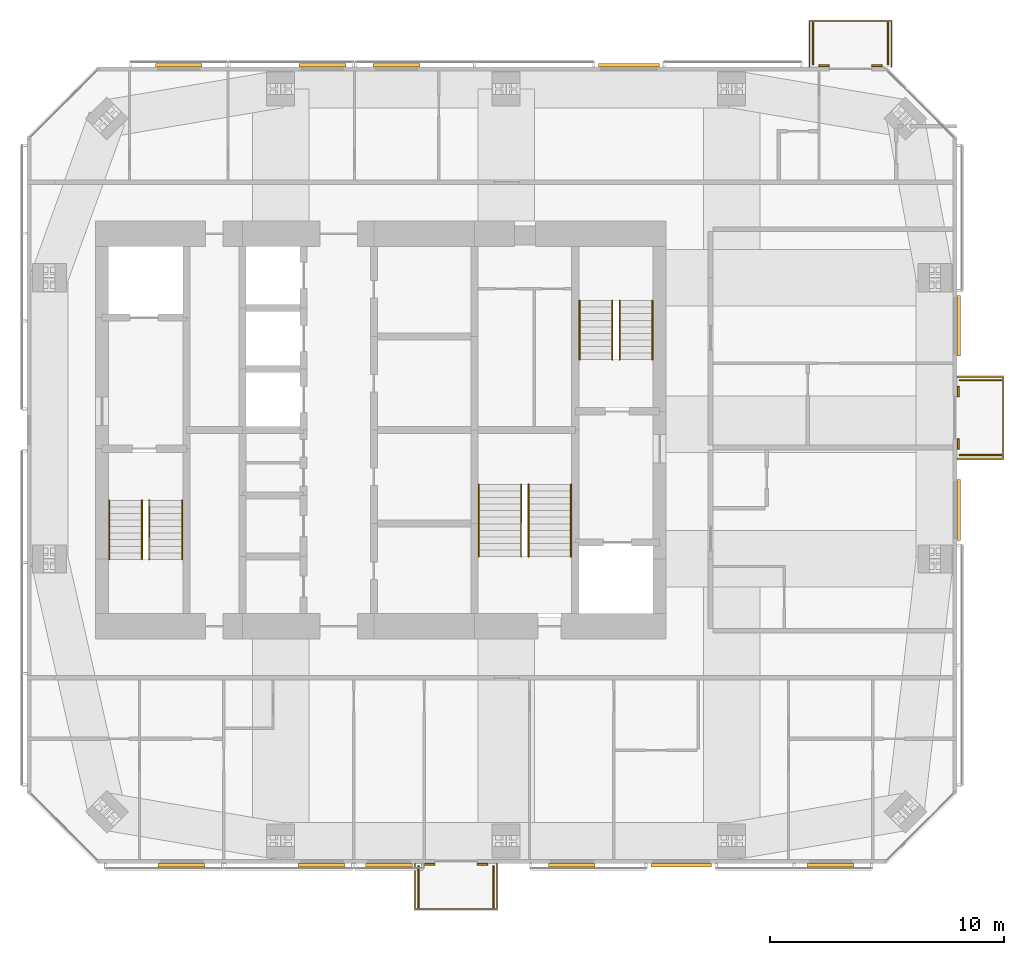
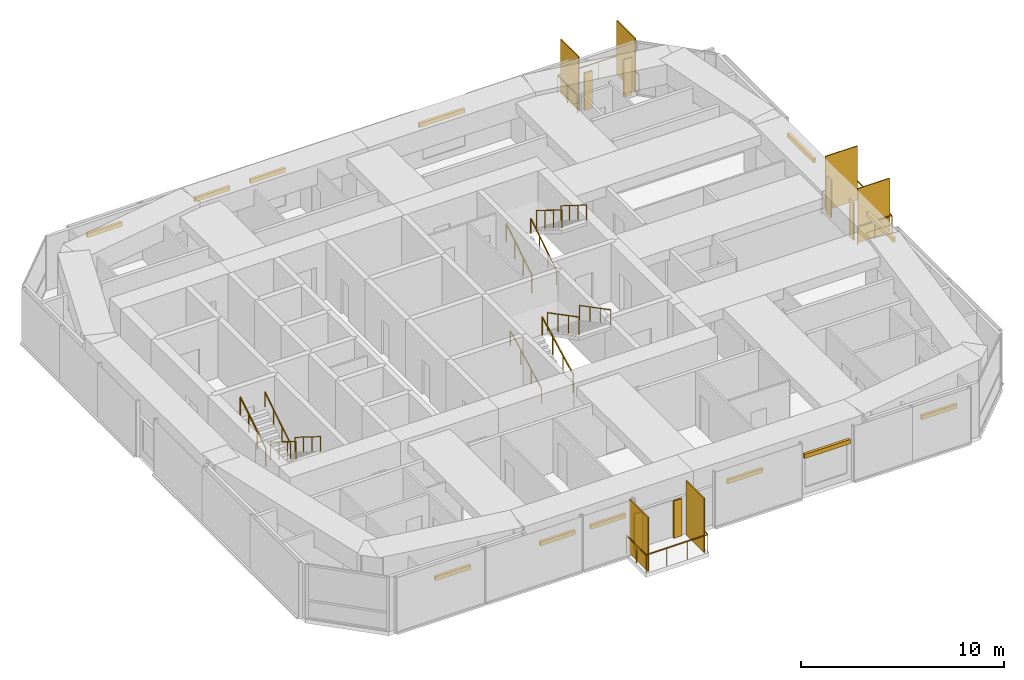
# One storey, part 18 of 18: 24 shading devices, 15 railings.
"""IFC4 building model written with IfcOpenShell, lengths in metres."""

from ifc_helpers import new_model, si_unit, direction, frame, origin, origin_2d, place, context, subcontext, project, spatial, rectangle, circle, extrude, material, layer, layer_set, constituent, constituent_set, type_object, element, save


model = new_model("IFC4")

# Units and contexts
model_context = context("Model", 3, precision=1e-05, world=origin(), true_north=direction((0.0, 1.0)))
body_context = subcontext(model_context, "Body", "Model", "MODEL_VIEW")
ifc_project = project(units=[si_unit("LENGTHUNIT", "METRE"), si_unit("AREAUNIT", "SQUARE_METRE"), si_unit("VOLUMEUNIT", "CUBIC_METRE"), si_unit("PLANEANGLEUNIT", "RADIAN"), si_unit("MASSUNIT", "GRAM", prefix="KILO")], contexts=[model_context])

# Site, building, storey
site_placement = place(None, origin())
site = spatial("IfcSite", under=ifc_project, at=site_placement, CompositionType="ELEMENT")
building_placement = place(site_placement, origin())
building = spatial("IfcBuilding", under=site, at=building_placement, Name="Jalousie Tower", CompositionType="ELEMENT")
storey_placement = place(building_placement, frame((0.0, 0.0, 252.949951171875)))
storey = spatial("IfcBuildingStorey", under=building, at=storey_placement, Name="L69", CompositionType="ELEMENT", Elevation=252.949951171875)

# Shading devices
ifc_material_1 = material(Name="Aluminium impact-rated louvred storm shutter", Category="aluminium")
shading_device_type_1 = type_object("IfcShadingDeviceType", Name="BI-FOLD STORM SHUTTER 900x2250", PredefinedType="SHUTTER", material=ifc_material_1)
for number, where, z_axis, x_axis, name in (
    (1, (33.985107421875, -0.0400390625, 0.0), (0.0, 0.0, 1.0), (1.0, 0.0, 0.0), "Balcony storm shutter L69"),
    (2, (36.235107421875, -0.0400390625, 0.0), (0.0, 0.0, 1.0), (1.0, 0.0, 0.0), "Balcony storm shutter L69"),
    (3, (56.5400390625, 17.89990234375, 0.0), (0.0, 0.0, 1.0), (0.0, 1.0, 0.0), "Balcony storm shutter L69"),
    (4, (56.5400390625, 20.14990234375, 0.0), (0.0, 0.0, 1.0), (0.0, 1.0, 0.0), "Balcony storm shutter L69"),
    (5, (53.07373046875, 34.0400390625, 0.0), (0.0, 0.0, 1.0), (-1.0, 0.0, 0.0), "Balcony storm shutter L69"),
    (6, (50.82373046875, 34.0400390625, 0.0), (0.0, 0.0, 1.0), (-1.0, 0.0, 0.0), "Balcony storm shutter L69"),
):
    element("IfcShadingDevice", number, at=place(storey_placement, frame(where, z_axis=z_axis, x_axis=x_axis)), inside=storey, type_object=shading_device_type_1, Name=name, PredefinedType="SHUTTER", context=body_context, shape_type="SweptSolid", body=[
        extrude(rectangle(XDim=0.449951171875, YDim=0.080078125, at=origin_2d()), origin(), (0.0, 0.0, 1.0), 2.25),
    ])

# Railings
ifc_material_2 = material(Name="Powder-coated aluminium fretwork", Category="aluminium")
railing_type_1 = type_object("IfcRailingType", Name="FRETWORK BALUSTRADE 1100", PredefinedType="BALUSTRADE", material=ifc_material_2)
railing_1_placement = place(storey_placement, frame((33.360107421875, 0.0, 0.0)))
element("IfcRailing", 7, at=railing_1_placement, inside=storey, type_object=railing_type_1, Name="Balcony fretwork balustrade L69", PredefinedType="BALUSTRADE", context=body_context, shape_type="SweptSolid", body=[
    extrude(rectangle(XDim=0.048095703125, YDim=0.048095703125, at=origin_2d()), frame((0.0, 0.0, 1.076171875), z_axis=(0.0, -1.0, 0.0), x_axis=(1.0, 0.0, 0.0)), (0.0, 0.0, 1.0), 1.949951171875),
    extrude(rectangle(XDim=0.048095703125, YDim=0.048095703125, at=origin_2d()), frame((0.0, -1.949951171875, 1.076171875), z_axis=(1.0, 0.0, 0.0), x_axis=(0.0, 1.0, 0.0)), (0.0, 0.0, 1.0), 3.5),
    extrude(rectangle(XDim=0.048095703125, YDim=0.048095703125, at=origin_2d()), frame((3.5, -1.949951171875, 1.076171875), z_axis=(0.0, 1.0, 0.0), x_axis=(-1.0, 0.0, 0.0)), (0.0, 0.0, 1.0), 1.949951171875),
    extrude(circle(Radius=0.02099609375, at=origin_2d()), origin(), (0.0, 0.0, 1.0), 1.052001953125),
    extrude(circle(Radius=0.02099609375, at=origin_2d()), frame((0.0, -0.97509765625, 0.0)), (0.0, 0.0, 1.0), 1.052001953125),
    extrude(circle(Radius=0.02099609375, at=origin_2d()), frame((0.0, -1.949951171875, 0.0)), (0.0, 0.0, 1.0), 1.052001953125),
    extrude(circle(Radius=0.02099609375, at=origin_2d()), frame((1.166748046875, -1.949951171875, 0.0)), (0.0, 0.0, 1.0), 1.052001953125),
    extrude(circle(Radius=0.02099609375, at=origin_2d()), frame((2.333251953125, -1.949951171875, 0.0)), (0.0, 0.0, 1.0), 1.052001953125),
    extrude(circle(Radius=0.02099609375, at=origin_2d()), frame((3.5, -1.949951171875, 0.0)), (0.0, 0.0, 1.0), 1.052001953125),
    extrude(circle(Radius=0.02099609375, at=origin_2d()), frame((3.5, -0.97509765625, 0.0)), (0.0, 0.0, 1.0), 1.052001953125),
    extrude(circle(Radius=0.02099609375, at=origin_2d()), frame((3.5, 0.0, 0.0)), (0.0, 0.0, 1.0), 1.052001953125),
])
railing_2_placement = place(storey_placement, frame((56.5, 17.27490234375, 0.0)))
element("IfcRailing", 8, at=railing_2_placement, inside=storey, type_object=railing_type_1, Name="Balcony fretwork balustrade L69", PredefinedType="BALUSTRADE", context=body_context, shape_type="SweptSolid", body=[
    extrude(rectangle(XDim=0.048095703125, YDim=0.048095703125, at=origin_2d()), frame((0.0, 0.0, 1.076171875), z_axis=(1.0, 0.0, 0.0), x_axis=(0.0, 1.0, 0.0)), (0.0, 0.0, 1.0), 1.949951171875),
    extrude(rectangle(XDim=0.048095703125, YDim=0.048095703125, at=origin_2d()), frame((1.949951171875, 0.0, 1.076171875), z_axis=(0.0, 1.0, 0.0), x_axis=(-1.0, 0.0, 0.0)), (0.0, 0.0, 1.0), 3.5),
    extrude(rectangle(XDim=0.048095703125, YDim=0.048095703125, at=origin_2d()), frame((1.949951171875, 3.5, 1.076171875), z_axis=(-1.0, 0.0, 0.0), x_axis=(0.0, -1.0, 0.0)), (0.0, 0.0, 1.0), 1.949951171875),
    extrude(circle(Radius=0.02099609375, at=origin_2d()), origin(), (0.0, 0.0, 1.0), 1.052001953125),
    extrude(circle(Radius=0.02099609375, at=origin_2d()), frame((0.97509765625, 0.0, 0.0)), (0.0, 0.0, 1.0), 1.052001953125),
    extrude(circle(Radius=0.02099609375, at=origin_2d()), frame((1.949951171875, 0.0, 0.0)), (0.0, 0.0, 1.0), 1.052001953125),
    extrude(circle(Radius=0.02099609375, at=origin_2d()), frame((1.949951171875, 1.166748046875, 0.0)), (0.0, 0.0, 1.0), 1.052001953125),
    extrude(circle(Radius=0.02099609375, at=origin_2d()), frame((1.949951171875, 2.333251953125, 0.0)), (0.0, 0.0, 1.0), 1.052001953125),
    extrude(circle(Radius=0.02099609375, at=origin_2d()), frame((1.949951171875, 3.5, 0.0)), (0.0, 0.0, 1.0), 1.052001953125),
    extrude(circle(Radius=0.02099609375, at=origin_2d()), frame((0.97509765625, 3.5, 0.0)), (0.0, 0.0, 1.0), 1.052001953125),
    extrude(circle(Radius=0.02099609375, at=origin_2d()), frame((0.0, 3.5, 0.0)), (0.0, 0.0, 1.0), 1.052001953125),
])
railing_3_placement = place(storey_placement, frame((53.69873046875, 34.0, 0.0)))
element("IfcRailing", 9, at=railing_3_placement, inside=storey, type_object=railing_type_1, Name="Balcony fretwork balustrade L69", PredefinedType="BALUSTRADE", context=body_context, shape_type="SweptSolid", body=[
    extrude(rectangle(XDim=0.048095703125, YDim=0.048095703125, at=origin_2d()), frame((0.0, 0.0, 1.076171875), z_axis=(0.0, 1.0, 0.0), x_axis=(-1.0, 0.0, 0.0)), (0.0, 0.0, 1.0), 1.949951171875),
    extrude(rectangle(XDim=0.048095703125, YDim=0.048095703125, at=origin_2d()), frame((0.0, 1.949951171875, 1.076171875), z_axis=(-1.0, 0.0, 0.0), x_axis=(0.0, -1.0, 0.0)), (0.0, 0.0, 1.0), 3.5),
    extrude(rectangle(XDim=0.048095703125, YDim=0.048095703125, at=origin_2d()), frame((-3.5, 1.949951171875, 1.076171875), z_axis=(0.0, -1.0, 0.0), x_axis=(1.0, 0.0, 0.0)), (0.0, 0.0, 1.0), 1.949951171875),
    extrude(circle(Radius=0.02099609375, at=origin_2d()), origin(), (0.0, 0.0, 1.0), 1.052001953125),
    extrude(circle(Radius=0.02099609375, at=origin_2d()), frame((0.0, 0.97509765625, 0.0)), (0.0, 0.0, 1.0), 1.052001953125),
    extrude(circle(Radius=0.02099609375, at=origin_2d()), frame((0.0, 1.949951171875, 0.0)), (0.0, 0.0, 1.0), 1.052001953125),
    extrude(circle(Radius=0.02099609375, at=origin_2d()), frame((-1.166748046875, 1.949951171875, 0.0)), (0.0, 0.0, 1.0), 1.052001953125),
    extrude(circle(Radius=0.02099609375, at=origin_2d()), frame((-2.333251953125, 1.949951171875, 0.0)), (0.0, 0.0, 1.0), 1.052001953125),
    extrude(circle(Radius=0.02099609375, at=origin_2d()), frame((-3.5, 1.949951171875, 0.0)), (0.0, 0.0, 1.0), 1.052001953125),
    extrude(circle(Radius=0.02099609375, at=origin_2d()), frame((-3.5, 0.97509765625, 0.0)), (0.0, 0.0, 1.0), 1.052001953125),
    extrude(circle(Radius=0.02099609375, at=origin_2d()), frame((-3.5, 0.0, 0.0)), (0.0, 0.0, 1.0), 1.052001953125),
])

# Shading devices
ifc_material_3 = material(Name="Powder-coated aluminium louvres", Category="aluminium")
ifc_layer = layer(ifc_material_3, 0.06005859375)
ifc_layer_set = layer_set([ifc_layer], Name="Powder-coated aluminium louvres")
shading_device_type_2 = type_object("IfcShadingDeviceType", Name="JALOUSIE LOUVRE SCREEN", PredefinedType="JALOUSIE", material=ifc_layer_set)
for number, where, z_axis, x_axis, name in (
    (10, (33.510009765625, -1.0, 0.0), (0.0, 0.0, 1.0), (1.0, 0.0, 0.0), "Jalousie louvre screen L69"),
    (11, (36.7099609375, -1.0, 0.0), (0.0, 0.0, 1.0), (1.0, 0.0, 0.0), "Jalousie louvre screen L69"),
    (12, (57.5, 17.425048828125, 0.0), (0.0, 0.0, 1.0), (0.0, 1.0, 0.0), "Jalousie louvre screen L69"),
    (13, (57.5, 20.625, 0.0), (0.0, 0.0, 1.0), (0.0, 1.0, 0.0), "Jalousie louvre screen L69"),
    (14, (53.548583984375, 35.0, 0.0), (0.0, 0.0, 1.0), (-1.0, 0.0, 0.0), "Jalousie louvre screen L69"),
    (15, (50.3486328125, 35.0, 0.0), (0.0, 0.0, 1.0), (-1.0, 0.0, 0.0), "Jalousie louvre screen L69"),
):
    element("IfcShadingDevice", number, at=place(storey_placement, frame(where, z_axis=z_axis, x_axis=x_axis)), inside=storey, type_object=shading_device_type_2, Name=name, PredefinedType="JALOUSIE", context=body_context, shape_type="SweptSolid", body=[
        extrude(rectangle(XDim=0.06005859375, YDim=1.800048828125, at=origin_2d()), origin(), (0.0, 0.0, 1.0), 3.260009765625),
    ])

# Railings
ifc_material_4 = material(Name="Steel ASTM A500 Grade C", Category="steel")
ifc_constituent_1 = constituent(ifc_material_4, Name="Body")
ifc_material_5 = material(Name="Hot-dip galvanised zinc coating")
ifc_constituent_2 = constituent(ifc_material_5, Name="Finish")
ifc_constituent_set_1 = constituent_set(constituents=[ifc_constituent_1, ifc_constituent_2])
railing_type_2 = type_object("IfcRailingType", Name="STAIR GUARD 1100", PredefinedType="GUARDRAIL", material=ifc_constituent_set_1)
railing_4_placement = place(storey_placement, frame((22.017578125, 15.49755859375, 0.175048828125)))
element("IfcRailing", 16, at=railing_4_placement, inside=storey, type_object=railing_type_2, Name="Exit stair A guard L69 flight 1", PredefinedType="GUARDRAIL", context=body_context, shape_type="SweptSolid", body=[
    extrude(rectangle(XDim=0.048095703125, YDim=0.048095703125, at=origin_2d()), frame((0.0, 0.0, 1.076171875), z_axis=(0.0, -0.848007534815, 0.529984170421), x_axis=(1.0, 0.0, 0.0)), (0.0, 0.0, 1.0), 2.9716796875),
    extrude(circle(Radius=0.02099609375, at=origin_2d()), origin(), (0.0, 0.0, 1.0), 1.052001953125),
    extrude(circle(Radius=0.02099609375, at=origin_2d()), frame((0.0, -0.840087890625, 0.52490234375)), (0.0, 0.0, 1.0), 1.052001953125),
    extrude(circle(Radius=0.02099609375, at=origin_2d()), frame((0.0, -1.679931640625, 1.050048828125)), (0.0, 0.0, 1.0), 1.052001953125),
    extrude(circle(Radius=0.02099609375, at=origin_2d()), frame((0.0, -2.52001953125, 1.574951171875)), (0.0, 0.0, 1.0), 1.052001953125),
])
for number, where, name in (
    (17, (20.304931640625, 12.9775390625, 1.925048828125), "Exit stair A guard L69 flight 2"),
    (18, (40.3798828125, 21.50244140625, 0.175048828125), "Exit stair B guard L69 flight 1"),
):
    element("IfcRailing", number, at=place(storey_placement, frame(where)), inside=storey, type_object=railing_type_2, Name=name, PredefinedType="GUARDRAIL", context=body_context, shape_type="SweptSolid", body=[
        extrude(rectangle(XDim=0.048095703125, YDim=0.048095703125, at=origin_2d()), frame((0.0, 0.0, 1.076171875), z_axis=(0.0, 0.848007534815, 0.529984170421), x_axis=(-1.0, 0.0, 0.0)), (0.0, 0.0, 1.0), 2.9716796875),
        extrude(circle(Radius=0.02099609375, at=origin_2d()), origin(), (0.0, 0.0, 1.0), 1.052001953125),
        extrude(circle(Radius=0.02099609375, at=origin_2d()), frame((0.0, 0.840087890625, 0.52490234375)), (0.0, 0.0, 1.0), 1.052001953125),
        extrude(circle(Radius=0.02099609375, at=origin_2d()), frame((0.0, 1.679931640625, 1.050048828125)), (0.0, 0.0, 1.0), 1.052001953125),
        extrude(circle(Radius=0.02099609375, at=origin_2d()), frame((0.0, 2.52001953125, 1.574951171875)), (0.0, 0.0, 1.0), 1.052001953125),
    ])
railing_5_placement = place(storey_placement, frame((42.092529296875, 24.0224609375, 1.925048828125)))
element("IfcRailing", 19, at=railing_5_placement, inside=storey, type_object=railing_type_2, Name="Exit stair B guard L69 flight 2", PredefinedType="GUARDRAIL", context=body_context, shape_type="SweptSolid", body=[
    extrude(rectangle(XDim=0.048095703125, YDim=0.048095703125, at=origin_2d()), frame((0.0, 0.0, 1.076171875), z_axis=(0.0, -0.848007534815, 0.529984170421), x_axis=(1.0, 0.0, 0.0)), (0.0, 0.0, 1.0), 2.9716796875),
    extrude(circle(Radius=0.02099609375, at=origin_2d()), origin(), (0.0, 0.0, 1.0), 1.052001953125),
    extrude(circle(Radius=0.02099609375, at=origin_2d()), frame((0.0, -0.840087890625, 0.52490234375)), (0.0, 0.0, 1.0), 1.052001953125),
    extrude(circle(Radius=0.02099609375, at=origin_2d()), frame((0.0, -1.679931640625, 1.050048828125)), (0.0, 0.0, 1.0), 1.052001953125),
    extrude(circle(Radius=0.02099609375, at=origin_2d()), frame((0.0, -2.52001953125, 1.574951171875)), (0.0, 0.0, 1.0), 1.052001953125),
])
railing_6_placement = place(storey_placement, frame((37.89501953125, 13.097412109375, 0.145751953125)))
element("IfcRailing", 20, at=railing_6_placement, inside=storey, type_object=railing_type_2, Name="Exit stair C guard L69 flight 1", PredefinedType="GUARDRAIL", context=body_context, shape_type="SweptSolid", body=[
    extrude(rectangle(XDim=0.048095703125, YDim=0.048095703125, at=origin_2d()), frame((0.0, 0.0, 1.076171875), z_axis=(0.0, 0.886909283822, 0.461943635383), x_axis=(-1.0, 0.0, 0.0)), (0.0, 0.0, 1.0), 3.472900390625),
    extrude(circle(Radius=0.02099609375, at=origin_2d()), origin(), (0.0, 0.0, 1.0), 1.052001953125),
    extrude(circle(Radius=0.02099609375, at=origin_2d()), frame((0.0, 1.026611328125, 0.53466796875)), (0.0, 0.0, 1.0), 1.052001953125),
    extrude(circle(Radius=0.02099609375, at=origin_2d()), frame((0.0, 2.053466796875, 1.069580078125)), (0.0, 0.0, 1.0), 1.052001953125),
    extrude(circle(Radius=0.02099609375, at=origin_2d()), frame((0.0, 3.080078125, 1.604248046875)), (0.0, 0.0, 1.0), 1.052001953125),
])
railing_7_placement = place(storey_placement, frame((38.205078125, 16.177490234375, 1.895751953125)))
element("IfcRailing", 21, at=railing_7_placement, inside=storey, type_object=railing_type_2, Name="Exit stair C guard L69 flight 2", PredefinedType="GUARDRAIL", context=body_context, shape_type="SweptSolid", body=[
    extrude(rectangle(XDim=0.048095703125, YDim=0.048095703125, at=origin_2d()), frame((0.0, 0.0, 1.076171875), z_axis=(0.0, -0.886909283822, 0.461943635383), x_axis=(1.0, 0.0, 0.0)), (0.0, 0.0, 1.0), 3.472900390625),
    extrude(circle(Radius=0.02099609375, at=origin_2d()), origin(), (0.0, 0.0, 1.0), 1.052001953125),
    extrude(circle(Radius=0.02099609375, at=origin_2d()), frame((0.0, -1.026611328125, 0.53466796875)), (0.0, 0.0, 1.0), 1.052001953125),
    extrude(circle(Radius=0.02099609375, at=origin_2d()), frame((0.0, -2.053466796875, 1.069580078125)), (0.0, 0.0, 1.0), 1.052001953125),
    extrude(circle(Radius=0.02099609375, at=origin_2d()), frame((0.0, -3.080078125, 1.604248046875)), (0.0, 0.0, 1.0), 1.052001953125),
])
ifc_material_6 = material(Name="Steel ASTM A500 Grade C", Category="steel")
ifc_constituent_3 = constituent(ifc_material_6, Name="Body")
ifc_material_7 = material(Name="Hot-dip galvanised zinc coating")
ifc_constituent_4 = constituent(ifc_material_7, Name="Finish")
ifc_constituent_set_2 = constituent_set(constituents=[ifc_constituent_3, ifc_constituent_4])
railing_type_3 = type_object("IfcRailingType", Name="STAIR HANDRAIL 900", PredefinedType="HANDRAIL", material=ifc_constituent_set_2)
railing_8_placement = place(storey_placement, frame((23.420166015625, 15.49755859375, 0.175048828125)))
element("IfcRailing", 22, at=railing_8_placement, inside=storey, type_object=railing_type_3, Name="Exit stair A handrail L69 flight 1", PredefinedType="HANDRAIL", context=body_context, shape_type="SweptSolid", body=[
    extrude(circle(Radius=0.02392578125, at=origin_2d()), frame((0.0, 0.0, 0.8759765625), z_axis=(0.0, -0.848007534815, 0.529984170421), x_axis=(1.0, 0.0, 0.0)), (0.0, 0.0, 1.0), 2.9716796875),
    extrude(circle(Radius=0.02099609375, at=origin_2d()), origin(), (0.0, 0.0, 1.0), 0.851806640625),
    extrude(circle(Radius=0.02099609375, at=origin_2d()), frame((0.0, -0.840087890625, 0.52490234375)), (0.0, 0.0, 1.0), 0.851806640625),
    extrude(circle(Radius=0.02099609375, at=origin_2d()), frame((0.0, -1.679931640625, 1.050048828125)), (0.0, 0.0, 1.0), 0.851806640625),
    extrude(circle(Radius=0.02099609375, at=origin_2d()), frame((0.0, -2.52001953125, 1.574951171875)), (0.0, 0.0, 1.0), 0.851806640625),
])
for number, where, name in (
    (23, (21.70751953125, 12.9775390625, 1.925048828125), "Exit stair A handrail L69 flight 2"),
    (24, (41.782470703125, 21.50244140625, 0.175048828125), "Exit stair B handrail L69 flight 1"),
):
    element("IfcRailing", number, at=place(storey_placement, frame(where)), inside=storey, type_object=railing_type_3, Name=name, PredefinedType="HANDRAIL", context=body_context, shape_type="SweptSolid", body=[
        extrude(circle(Radius=0.02392578125, at=origin_2d()), frame((0.0, 0.0, 0.8759765625), z_axis=(0.0, 0.848007534815, 0.529984170421), x_axis=(-1.0, 0.0, 0.0)), (0.0, 0.0, 1.0), 2.9716796875),
        extrude(circle(Radius=0.02099609375, at=origin_2d()), origin(), (0.0, 0.0, 1.0), 0.851806640625),
        extrude(circle(Radius=0.02099609375, at=origin_2d()), frame((0.0, 0.840087890625, 0.52490234375)), (0.0, 0.0, 1.0), 0.851806640625),
        extrude(circle(Radius=0.02099609375, at=origin_2d()), frame((0.0, 1.679931640625, 1.050048828125)), (0.0, 0.0, 1.0), 0.851806640625),
        extrude(circle(Radius=0.02099609375, at=origin_2d()), frame((0.0, 2.52001953125, 1.574951171875)), (0.0, 0.0, 1.0), 0.851806640625),
    ])
railing_9_placement = place(storey_placement, frame((43.4951171875, 24.0224609375, 1.925048828125)))
element("IfcRailing", 25, at=railing_9_placement, inside=storey, type_object=railing_type_3, Name="Exit stair B handrail L69 flight 2", PredefinedType="HANDRAIL", context=body_context, shape_type="SweptSolid", body=[
    extrude(circle(Radius=0.02392578125, at=origin_2d()), frame((0.0, 0.0, 0.8759765625), z_axis=(0.0, -0.848007534815, 0.529984170421), x_axis=(1.0, 0.0, 0.0)), (0.0, 0.0, 1.0), 2.9716796875),
    extrude(circle(Radius=0.02099609375, at=origin_2d()), origin(), (0.0, 0.0, 1.0), 0.851806640625),
    extrude(circle(Radius=0.02099609375, at=origin_2d()), frame((0.0, -0.840087890625, 0.52490234375)), (0.0, 0.0, 1.0), 0.851806640625),
    extrude(circle(Radius=0.02099609375, at=origin_2d()), frame((0.0, -1.679931640625, 1.050048828125)), (0.0, 0.0, 1.0), 0.851806640625),
    extrude(circle(Radius=0.02099609375, at=origin_2d()), frame((0.0, -2.52001953125, 1.574951171875)), (0.0, 0.0, 1.0), 0.851806640625),
])
railing_10_placement = place(storey_placement, frame((36.080078125, 13.097412109375, 0.145751953125)))
element("IfcRailing", 26, at=railing_10_placement, inside=storey, type_object=railing_type_3, Name="Exit stair C handrail L69 flight 1", PredefinedType="HANDRAIL", context=body_context, shape_type="SweptSolid", body=[
    extrude(circle(Radius=0.02392578125, at=origin_2d()), frame((0.0, 0.0, 0.8759765625), z_axis=(0.0, 0.886909283822, 0.461943635383), x_axis=(-1.0, 0.0, 0.0)), (0.0, 0.0, 1.0), 3.472900390625),
    extrude(circle(Radius=0.02099609375, at=origin_2d()), origin(), (0.0, 0.0, 1.0), 0.851806640625),
    extrude(circle(Radius=0.02099609375, at=origin_2d()), frame((0.0, 1.026611328125, 0.53466796875)), (0.0, 0.0, 1.0), 0.851806640625),
    extrude(circle(Radius=0.02099609375, at=origin_2d()), frame((0.0, 2.053466796875, 1.069580078125)), (0.0, 0.0, 1.0), 0.851806640625),
    extrude(circle(Radius=0.02099609375, at=origin_2d()), frame((0.0, 3.080078125, 1.604248046875)), (0.0, 0.0, 1.0), 0.851806640625),
])
railing_11_placement = place(storey_placement, frame((40.02001953125, 16.177490234375, 1.895751953125)))
element("IfcRailing", 27, at=railing_11_placement, inside=storey, type_object=railing_type_3, Name="Exit stair C handrail L69 flight 2", PredefinedType="HANDRAIL", context=body_context, shape_type="SweptSolid", body=[
    extrude(circle(Radius=0.02392578125, at=origin_2d()), frame((0.0, 0.0, 0.8759765625), z_axis=(0.0, -0.886909283822, 0.461943635383), x_axis=(1.0, 0.0, 0.0)), (0.0, 0.0, 1.0), 3.472900390625),
    extrude(circle(Radius=0.02099609375, at=origin_2d()), origin(), (0.0, 0.0, 1.0), 0.851806640625),
    extrude(circle(Radius=0.02099609375, at=origin_2d()), frame((0.0, -1.026611328125, 0.53466796875)), (0.0, 0.0, 1.0), 0.851806640625),
    extrude(circle(Radius=0.02099609375, at=origin_2d()), frame((0.0, -2.053466796875, 1.069580078125)), (0.0, 0.0, 1.0), 0.851806640625),
    extrude(circle(Radius=0.02099609375, at=origin_2d()), frame((0.0, -3.080078125, 1.604248046875)), (0.0, 0.0, 1.0), 0.851806640625),
])

# Shading devices
ifc_material_8 = material(Name="Aluminium roller storm shutter", Category="aluminium")
shading_device_type_3 = type_object("IfcShadingDeviceType", Name="STORM SHUTTER HOUSING", PredefinedType="SHUTTER", material=ifc_material_8)
for number, where, z_axis, x_axis, name in (
    (28, (23.39990234375, -0.074951171875, 2.25), (0.0, 0.0, 1.0), (1.0, 0.0, 0.0), "Storm shutter L69"),
    (29, (29.376220703125, -0.074951171875, 2.25), (0.0, 0.0, 1.0), (1.0, 0.0, 0.0), "Storm shutter L69"),
    (30, (32.25, -0.074951171875, 2.25), (0.0, 0.0, 1.0), (1.0, 0.0, 0.0), "Storm shutter L69"),
    (31, (40.050048828125, -0.074951171875, 2.25), (0.0, 0.0, 1.0), (1.0, 0.0, 0.0), "Storm shutter L69"),
):
    element("IfcShadingDevice", number, at=place(storey_placement, frame(where, z_axis=z_axis, x_axis=x_axis)), inside=storey, type_object=shading_device_type_3, Name=name, PredefinedType="SHUTTER", context=body_context, shape_type="SweptSolid", body=[
        extrude(rectangle(XDim=2.0, YDim=0.14990234375, at=origin_2d()), origin(), (0.0, 0.0, 1.0), 0.25),
    ])
shading_device_1_placement = place(storey_placement, frame((44.72509765625, -0.074951171875, 2.25), z_axis=(0.0, 0.0, 1.0), x_axis=(1.0, 0.0, 0.0)))
element("IfcShadingDevice", 32, at=shading_device_1_placement, inside=storey, type_object=shading_device_type_3, Name="Storm shutter L69", PredefinedType="SHUTTER", context=body_context, shape_type="SweptSolid", body=[
    extrude(rectangle(XDim=2.60009765625, YDim=0.14990234375, at=origin_2d()), origin(), (0.0, 0.0, 1.0), 0.25),
])
shading_device_2_placement = place(storey_placement, frame((51.10009765625, -0.074951171875, 2.25), z_axis=(0.0, 0.0, 1.0), x_axis=(1.0, 0.0, 0.0)))
element("IfcShadingDevice", 33, at=shading_device_2_placement, inside=storey, type_object=shading_device_type_3, Name="Storm shutter L69", PredefinedType="SHUTTER", context=body_context, shape_type="SweptSolid", body=[
    extrude(rectangle(XDim=2.0, YDim=0.14990234375, at=origin_2d()), origin(), (0.0, 0.0, 1.0), 0.25),
])
for number, where, z_axis, x_axis, name in (
    (34, (56.574951171875, 15.081787109375, 2.25), (0.0, 0.0, 1.0), (0.0, 1.0, 0.0), "Storm shutter L69"),
    (35, (56.574951171875, 22.949951171875, 2.25), (0.0, 0.0, 1.0), (0.0, 1.0, 0.0), "Storm shutter L69"),
    (36, (42.48876953125, 34.074951171875, 2.25), (0.0, 0.0, 1.0), (-1.0, 0.0, 0.0), "Storm shutter L69"),
):
    element("IfcShadingDevice", number, at=place(storey_placement, frame(where, z_axis=z_axis, x_axis=x_axis)), inside=storey, type_object=shading_device_type_3, Name=name, PredefinedType="SHUTTER", context=body_context, shape_type="SweptSolid", body=[
        extrude(rectangle(XDim=2.60009765625, YDim=0.14990234375, at=origin_2d()), origin(), (0.0, 0.0, 1.0), 0.25),
    ])
for number, where, z_axis, x_axis, name in (
    (37, (32.574951171875, 34.074951171875, 2.25), (0.0, 0.0, 1.0), (-1.0, 0.0, 0.0), "Storm shutter L69"),
    (38, (29.405029296875, 34.074951171875, 2.25), (0.0, 0.0, 1.0), (-1.0, 0.0, 0.0), "Storm shutter L69"),
    (39, (23.275634765625, 34.074951171875, 2.25), (0.0, 0.0, 1.0), (-1.0, 0.0, 0.0), "Storm shutter L69"),
):
    element("IfcShadingDevice", number, at=place(storey_placement, frame(where, z_axis=z_axis, x_axis=x_axis)), inside=storey, type_object=shading_device_type_3, Name=name, PredefinedType="SHUTTER", context=body_context, shape_type="SweptSolid", body=[
        extrude(rectangle(XDim=2.0, YDim=0.14990234375, at=origin_2d()), origin(), (0.0, 0.0, 1.0), 0.25),
    ])

save(model, "model.ifc")
